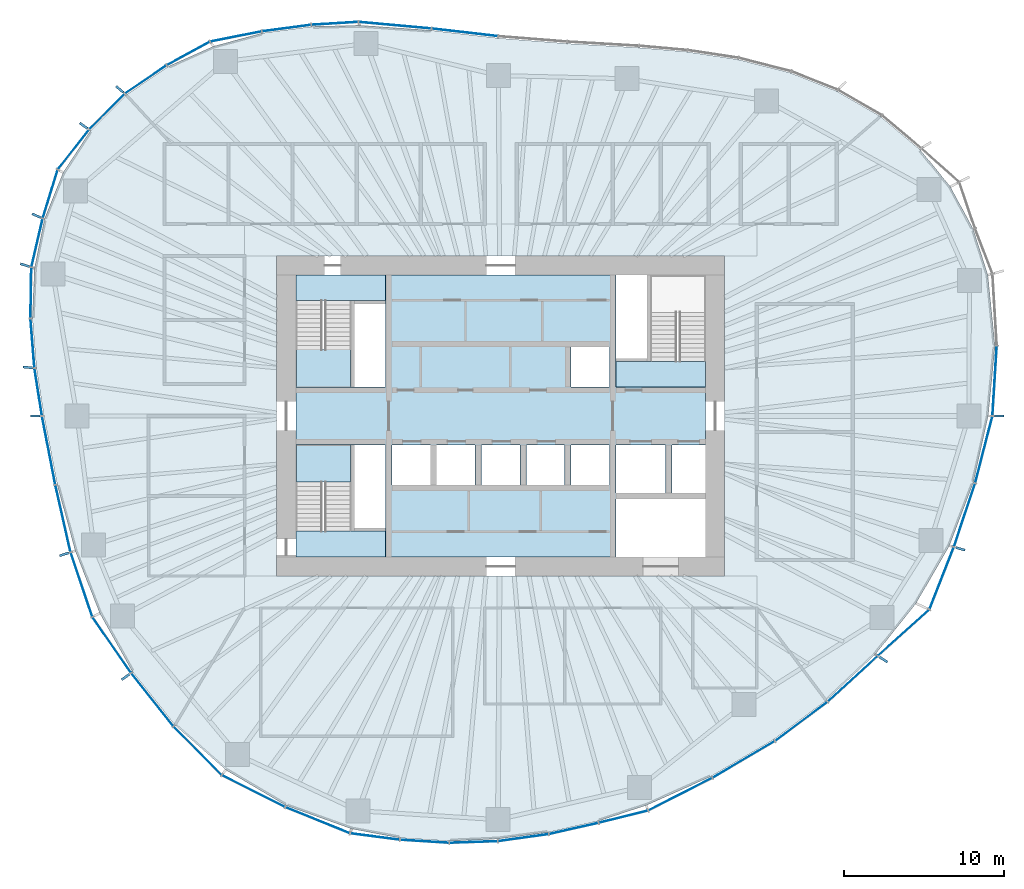
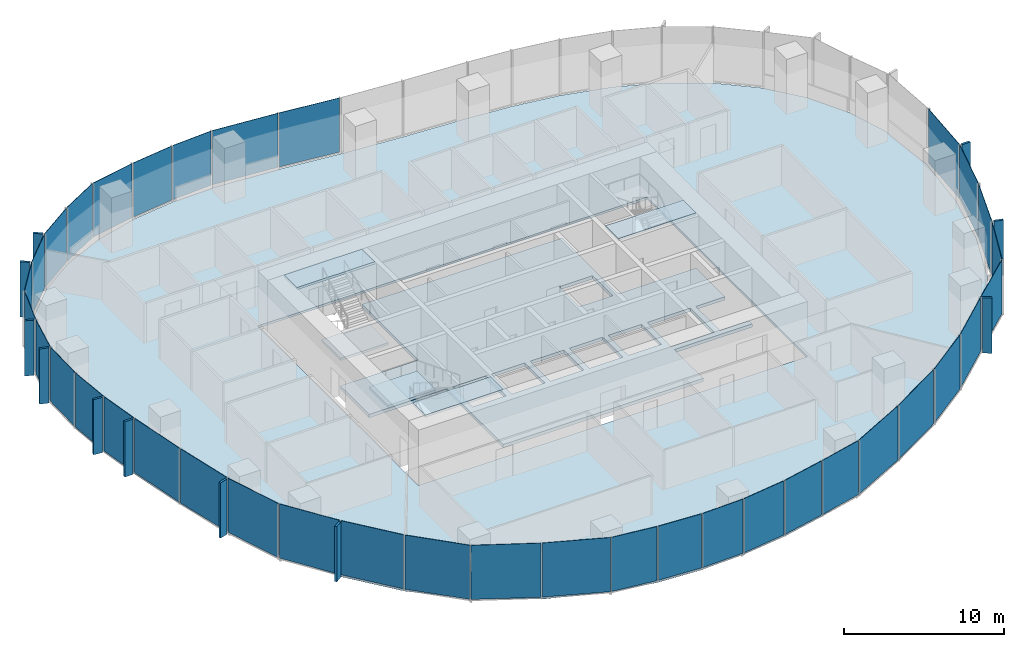
# One storey, part 7 of 18: 48 plates, 7 slabs, 19 elements without a shape of their own.
"""IFC4 building model written with IfcOpenShell, lengths in metres."""

import ifcopenshell
import ifcopenshell.guid

model = None  # the IFC model being written
_history = None  # IfcOwnerHistory: only IFC2X3 demands one
_inside = {}  # id of a spatial element -> (the spatial element, [elements in it])
_under = {}  # id of a project, library or spatial element -> (it, [spatial elements below it])
_declared = {}  # id of a project -> (the project, [libraries it declares])
_typed = {}  # id of a type object -> (the type object, [elements of that type])
_made_of = {}  # id of a material, layer set ... -> (it, [elements and type objects made of it])


def new_model(schema):
    """Start an empty IFC model of exactly this schema.

    Asked for "IFC4X3", IfcOpenShell would pick the latest addendum, in which some entities
    have other attributes; the version numbers below select the first issue.
    IFC2X3 requires an IfcOwnerHistory on every rooted entity: one is made here for all.
    """
    global model, _history
    if schema == "IFC4X3":
        model = ifcopenshell.file(schema_version=(4, 3, 0, 0))
    else:
        model = ifcopenshell.file(schema=schema)
    _inside.clear()
    _under.clear()
    _declared.clear()
    _typed.clear()
    _made_of.clear()
    _history = None
    if model.schema == "IFC2X3":
        org = make("IfcOrganization", Name="unknown")
        user = make(
            "IfcPersonAndOrganization",
            ThePerson=make("IfcPerson", FamilyName="unknown"),
            TheOrganization=org,
        )
        app = make(
            "IfcApplication",
            ApplicationDeveloper=org,
            Version="unknown",
            ApplicationFullName="unknown",
            ApplicationIdentifier="unknown",
        )
        _history = make(
            "IfcOwnerHistory",
            OwningUser=user,
            OwningApplication=app,
            ChangeAction="ADDED",
            CreationDate=0,
        )
    return model


def make(cls, **values):
    """One entity of the class cls with the attributes given. An attribute that is None is left unset."""
    return model.create_entity(
        cls, **{name: value for name, value in values.items() if value is not None}
    )


def rooted(cls, **values):
    """An entity with a GlobalId (a new one), such as an element, a storey or a relation."""
    return make(cls, GlobalId=ifcopenshell.guid.new(), OwnerHistory=_history, **values)


def si_unit(unit_type, name, prefix=None):
    """IfcSIUnit, for example si_unit("LENGTHUNIT", "METRE", prefix="MILLI")."""
    return make("IfcSIUnit", UnitType=unit_type, Prefix=prefix, Name=name)


def assignment(units):
    """IfcUnitAssignment: the units of a project."""
    return None if units is None else make("IfcUnitAssignment", Units=units)


def point(xyz):
    """IfcCartesianPoint."""
    return None if xyz is None else make("IfcCartesianPoint", Coordinates=xyz)


def direction(xyz):
    """IfcDirection."""
    return None if xyz is None else make("IfcDirection", DirectionRatios=xyz)


def frame(location, z_axis=None, x_axis=None):
    """IfcAxis2Placement3D, a coordinate frame: its origin and axes. An axis left out is left unset."""
    return make(
        "IfcAxis2Placement3D",
        Location=point(location),
        Axis=direction(z_axis),
        RefDirection=direction(x_axis),
    )


def frame_2d(location, x_axis=None):
    """IfcAxis2Placement2D, a coordinate frame in the plane: its origin and x axis."""
    return make(
        "IfcAxis2Placement2D", Location=point(location), RefDirection=direction(x_axis)
    )


def origin():
    """The frame at (0, 0, 0) with its axes left unset."""
    return frame((0.0, 0.0, 0.0))


def origin_2d():
    """The frame at (0, 0) in the plane with its x axis left unset."""
    return frame_2d((0.0, 0.0))


def place(relative_to, where):
    """IfcLocalPlacement: puts the frame where relative to a parent placement (None: the world)."""
    return make(
        "IfcLocalPlacement", PlacementRelTo=relative_to, RelativePlacement=where
    )


def context(
    kind, dimensions, precision=None, world=None, true_north=None, identifier=None
):
    """IfcGeometricRepresentationContext, for example the 3D "Model" context."""
    return make(
        "IfcGeometricRepresentationContext",
        ContextIdentifier=identifier,
        ContextType=kind,
        CoordinateSpaceDimension=dimensions,
        Precision=precision,
        WorldCoordinateSystem=world,
        TrueNorth=true_north,
    )


def subcontext(parent, identifier, kind, view, scale=None):
    """IfcGeometricRepresentationSubContext, for example "Body" below "Model"."""
    return make(
        "IfcGeometricRepresentationSubContext",
        ContextIdentifier=identifier,
        ContextType=kind,
        ParentContext=parent,
        TargetScale=scale,
        TargetView=view,
    )


def project(units=None, contexts=None):
    """IfcProject with its units and contexts."""
    return rooted(
        "IfcProject",
        Name="project",
        RepresentationContexts=contexts,
        UnitsInContext=assignment(units),
    )


def spatial(cls, under=None, at=None, **own):
    """A site, building, storey or space (cls), placed at a placement, below another one or the project."""
    s = rooted(cls, ObjectPlacement=at, **own)
    if under is not None:
        _under.setdefault(under.id(), (under, []))[1].append(s)
    return s


def polyline(points):
    """IfcPolyline through the points."""
    return make("IfcPolyline", Points=[point(p) for p in points])


def profile(cls, at=None, kind="AREA", **sizes):
    """A parametric profile (cls). Its sizes go by their IFC names, for example OverallWidth=200.0."""
    return make(cls, ProfileType=kind, Position=at, **sizes)


def rectangle(**sizes):
    """IfcRectangleProfileDef."""
    return profile("IfcRectangleProfileDef", **sizes)


def outline(outer, holes=None, kind="AREA"):
    """IfcArbitraryClosedProfileDef: a profile drawn as a closed curve; with holes, ...WithVoids."""
    if holes is None:
        return make("IfcArbitraryClosedProfileDef", ProfileType=kind, OuterCurve=outer)
    return make(
        "IfcArbitraryProfileDefWithVoids",
        ProfileType=kind,
        OuterCurve=outer,
        InnerCurves=holes,
    )


def extrude(swept, where, along, depth):
    """IfcExtrudedAreaSolid: the profile swept, set in the frame where, extruded along a direction by depth."""
    return make(
        "IfcExtrudedAreaSolid",
        SweptArea=swept,
        Position=where,
        ExtrudedDirection=direction(along),
        Depth=depth,
    )


def shape(context_of_items, identifier, shape_type, items):
    """IfcShapeRepresentation: the items that make up one representation, for example the "Body"."""
    return make(
        "IfcShapeRepresentation",
        ContextOfItems=context_of_items,
        RepresentationIdentifier=identifier,
        RepresentationType=shape_type,
        Items=items,
    )


def material(Name=None, Category=None):
    """IfcMaterial."""
    return make("IfcMaterial", Name=Name, Category=Category)


def layer(
    of_material, thickness, ventilated=None, Name=None, Category=None, Priority=None
):
    """IfcMaterialLayer: one layer of a wall or slab, of a material (None: an air gap)."""
    return make(
        "IfcMaterialLayer",
        Material=of_material,
        LayerThickness=thickness,
        IsVentilated=ventilated,
        Name=Name,
        Category=Category,
        Priority=Priority,
    )


def layer_set(layers, Name=None):
    """IfcMaterialLayerSet."""
    return make("IfcMaterialLayerSet", MaterialLayers=layers, LayerSetName=Name)


def made_of(thing, what):
    """Note that an element or type object is made of a material, layer set ...; save() writes the relation."""
    if what is not None:
        _made_of.setdefault(what.id(), (what, []))[1].append(thing)
    return thing


def type_object(cls, material=None, **own):
    """A type object (cls), such as IfcWallType, which elements share."""
    return made_of(rooted(cls, **own), material)


def element(
    cls,
    number,
    at=None,
    inside=None,
    cuts=None,
    type_object=None,
    material=None,
    context=None,
    identifier="Body",
    shape_type=None,
    held_by="IfcProductDefinitionShape",
    body=None,
    shapes=None,
    **own,
):
    """One element of the class cls, such as IfcWall. Its Tag is "e" and its number.

    at: its placement. inside: the storey or other place that contains it. cuts: it is an
    opening in that element (IfcRelVoidsElement). A single representation is given by context,
    identifier, shape_type and body (its items); several are given by shapes. held_by: the class
    of the entity that holds the representations. save() writes the other relations.
    """
    e = rooted(cls, Tag="e%d" % number, ObjectPlacement=at, **own)
    if body is not None:
        shapes = [shape(context, identifier, shape_type, body)]
    if shapes is not None:
        e.Representation = make(held_by, Representations=shapes)
    if inside is not None:
        _inside.setdefault(inside.id(), (inside, []))[1].append(e)
    if cuts is not None:
        rooted(
            "IfcRelVoidsElement", RelatingBuildingElement=cuts, RelatedOpeningElement=e
        )
    if type_object is not None:
        _typed.setdefault(type_object.id(), (type_object, []))[1].append(e)
    return made_of(e, material)


def aggregate(whole, parts):
    """IfcRelAggregates: a whole, such as a stair, and the parts it consists of."""
    return rooted("IfcRelAggregates", RelatingObject=whole, RelatedObjects=parts)


def save(model, path):
    """Write the relations noted so far, then the file.

    IfcRelAggregates (storeys below a building ...), IfcRelContainedInSpatialStructure (elements
    in a storey), IfcRelDefinesByType, IfcRelAssociatesMaterial and IfcRelDeclares: one each for
    every whole, place, type object, material and project.
    """
    for whole, parts in _under.values():
        aggregate(whole, parts)
    for where, things in _inside.values():
        rooted(
            "IfcRelContainedInSpatialStructure",
            RelatedElements=things,
            RelatingStructure=where,
        )
    for kind, things in _typed.values():
        rooted("IfcRelDefinesByType", RelatedObjects=things, RelatingType=kind)
    for what, things in _made_of.values():
        rooted("IfcRelAssociatesMaterial", RelatedObjects=things, RelatingMaterial=what)
    for by, libraries in _declared.values():
        rooted("IfcRelDeclares", RelatingContext=by, RelatedDefinitions=libraries)
    model.write(path)


model = new_model("IFC4")

# Units and contexts
model_context = context("Model", 3, precision=1e-05, world=origin(), true_north=direction((0.0, 1.0)))
body_context = subcontext(model_context, "Body", "Model", "MODEL_VIEW")
ifc_project = project(units=[si_unit("LENGTHUNIT", "METRE"), si_unit("AREAUNIT", "SQUARE_METRE"), si_unit("VOLUMEUNIT", "CUBIC_METRE"), si_unit("PLANEANGLEUNIT", "RADIAN"), si_unit("MASSUNIT", "GRAM", prefix="KILO")], contexts=[model_context])

# Site, building, storey
site_placement = place(None, origin())
site = spatial("IfcSite", under=ifc_project, at=site_placement, CompositionType="ELEMENT")
building_placement = place(site_placement, origin())
building = spatial("IfcBuilding", under=site, at=building_placement, Name="Ghaith Harvest Tower", CompositionType="ELEMENT")
storey_placement = place(building_placement, frame((0.0, 0.0, 138.60009765625)))
storey = spatial("IfcBuildingStorey", under=building, at=storey_placement, Name="L29", CompositionType="ELEMENT", Elevation=138.60009765625)

# Curtain wall, plate
ifc_material_1 = material(Name="Black anodised aluminium and fritted glass", Category="aluminium")
curtain_wall_type = type_object("IfcCurtainWallType", Name="CW-L CURTAIN WALL", PredefinedType="NOTDEFINED", material=ifc_material_1)
curtain_wall_1_placement = place(storey_placement, origin())
curtain_wall_1 = element("IfcCurtainWall", 1, at=curtain_wall_1_placement, inside=storey, type_object=curtain_wall_type, Name="Curtain wall CW-L bay 01 L29", PredefinedType="NOTDEFINED")
ifc_material_2 = material(Name="Glass, dark solar-control fritted double glazed unit", Category="glass")
ifc_layer_1 = layer(ifc_material_2, 0.031982421875)
ifc_layer_set_1 = layer_set([ifc_layer_1], Name="CW-L VISION PANEL")
plate_type_1 = type_object("IfcPlateType", Name="CW-L VISION PANEL", PredefinedType="CURTAIN_PANEL", material=ifc_layer_set_1)
plate_1_placement = place(storey_placement, frame((30.86376953125, 2.19482421875, 0.079833984375), z_axis=(0.0, 0.0, 1.0), x_axis=(0.061379619468, 0.99811449359, 0.0)))
plate_1 = element("IfcPlate", 2, at=plate_1_placement, type_object=plate_type_1, Name="CW-L glass unit 1 bay 01 L29", PredefinedType="CURTAIN_PANEL", context=body_context, shape_type="SweptSolid", body=[
    extrude(rectangle(XDim=4.318115234375, YDim=0.031982421875, at=origin_2d()), origin(), (0.0, 0.0, 1.0), 4.1201171875),
])
aggregate(curtain_wall_1, [plate_1])

# Curtain wall, plates
curtain_wall_2_placement = place(storey_placement, origin())
curtain_wall_2 = element("IfcCurtainWall", 3, at=curtain_wall_2_placement, inside=storey, type_object=curtain_wall_type, Name="Curtain wall CW-L bay 06 L29", PredefinedType="NOTDEFINED")
plate_2_placement = place(storey_placement, frame((-2.24267578125, 23.968505859375, 0.079833984375), z_axis=(0.0, 0.0, 1.0), x_axis=(-0.993477024646, 0.114032458099, 0.0)))
plate_2 = element("IfcPlate", 4, at=plate_2_placement, type_object=plate_type_1, Name="CW-L glass unit 1 bay 06 L29", PredefinedType="CURTAIN_PANEL", context=body_context, shape_type="SweptSolid", body=[
    extrude(rectangle(XDim=4.10791015625, YDim=0.031982421875, at=origin_2d()), origin(), (0.0, 0.0, 1.0), 4.1201171875),
])
plate_3_placement = place(storey_placement, frame((-6.607666015625, 24.4140625, 0.079833984375), z_axis=(0.0, 0.0, 1.0), x_axis=(-0.995928776302, 0.090143621701, 0.0)))
plate_3 = element("IfcPlate", 5, at=plate_3_placement, type_object=plate_type_1, Name="CW-L glass unit 2 bay 06 L29", PredefinedType="CURTAIN_PANEL", context=body_context, shape_type="SweptSolid", body=[
    extrude(rectangle(XDim=4.508056640625, YDim=0.031982421875, at=origin_2d()), origin(), (0.0, 0.0, 1.0), 4.1201171875),
])
aggregate(curtain_wall_2, [plate_2, plate_3])

curtain_wall_3_placement = place(storey_placement, origin())
curtain_wall_3 = element("IfcCurtainWall", 6, at=curtain_wall_3_placement, inside=storey, type_object=curtain_wall_type, Name="Curtain wall CW-L bay 07 L29", PredefinedType="NOTDEFINED")
plate_4_placement = place(storey_placement, frame((-10.36669921875, 24.5302734375, 0.079833984375), z_axis=(0.0, 0.0, 1.0), x_axis=(-0.998119199641, -0.061303044853, 0.0)))
plate_4 = element("IfcPlate", 7, at=plate_4_placement, type_object=plate_type_1, Name="CW-L glass unit 1 bay 07 L29", PredefinedType="CURTAIN_PANEL", context=body_context, shape_type="SweptSolid", body=[
    extrude(rectangle(XDim=2.874267578125, YDim=0.031982421875, at=origin_2d()), origin(), (0.0, 0.0, 1.0), 4.1201171875),
])
plate_5_placement = place(storey_placement, frame((-13.382568359375, 24.23486328125, 0.079833984375), z_axis=(0.0, 0.0, 1.0), x_axis=(-0.991285895369, -0.131728029071, 0.0)))
plate_5 = element("IfcPlate", 8, at=plate_5_placement, type_object=plate_type_1, Name="CW-L glass unit 2 bay 07 L29", PredefinedType="CURTAIN_PANEL", context=body_context, shape_type="SweptSolid", body=[
    extrude(rectangle(XDim=3.02978515625, YDim=0.031982421875, at=origin_2d()), origin(), (0.0, 0.0, 1.0), 4.1201171875),
])
plate_6_placement = place(storey_placement, frame((-16.54443359375, 23.7099609375, 0.079833984375), z_axis=(0.0, 0.0, 1.0), x_axis=(-0.981037550101, -0.193817763096, 0.0)))
plate_6 = element("IfcPlate", 9, at=plate_6_placement, type_object=plate_type_1, Name="CW-L glass unit 3 bay 07 L29", PredefinedType="CURTAIN_PANEL", context=body_context, shape_type="SweptSolid", body=[
    extrude(rectangle(XDim=3.22412109375, YDim=0.031982421875, at=origin_2d()), origin(), (0.0, 0.0, 1.0), 4.1201171875),
])
aggregate(curtain_wall_3, [plate_4, plate_5, plate_6])

curtain_wall_4_placement = place(storey_placement, origin())
curtain_wall_4 = element("IfcCurtainWall", 10, at=curtain_wall_4_placement, inside=storey, type_object=curtain_wall_type, Name="Curtain wall CW-L bay 08 L29", PredefinedType="NOTDEFINED")
plate_7_placement = place(storey_placement, frame((-19.520263671875, 22.650634765625, 0.079833984375), z_axis=(0.0, 0.0, 1.0), x_axis=(-0.877940384665, -0.478769966659, 0.0)))
plate_7 = element("IfcPlate", 11, at=plate_7_placement, type_object=plate_type_1, Name="CW-L glass unit 1 bay 08 L29", PredefinedType="CURTAIN_PANEL", context=body_context, shape_type="SweptSolid", body=[
    extrude(rectangle(XDim=3.007080078125, YDim=0.031982421875, at=origin_2d()), origin(), (0.0, 0.0, 1.0), 4.1201171875),
])
plate_8_placement = place(storey_placement, frame((-22.182373046875, 21.025390625, 0.079833984375), z_axis=(0.0, 0.0, 1.0), x_axis=(-0.827674847773, -0.561207935051, 0.0)))
plate_8 = element("IfcPlate", 12, at=plate_8_placement, type_object=plate_type_1, Name="CW-L glass unit 2 bay 08 L29", PredefinedType="CURTAIN_PANEL", context=body_context, shape_type="SweptSolid", body=[
    extrude(rectangle(XDim=3.078369140625, YDim=0.031982421875, at=origin_2d()), origin(), (0.0, 0.0, 1.0), 4.1201171875),
])
plate_9_placement = place(storey_placement, frame((-24.603759765625, 19.01708984375, 0.079833984375), z_axis=(0.0, 0.0, 1.0), x_axis=(-0.704613943896, -0.709590861037, 0.0)))
plate_9 = element("IfcPlate", 13, at=plate_9_placement, type_object=plate_type_1, Name="CW-L glass unit 3 bay 08 L29", PredefinedType="CURTAIN_PANEL", context=body_context, shape_type="SweptSolid", body=[
    extrude(rectangle(XDim=3.0830078125, YDim=0.031982421875, at=origin_2d()), origin(), (0.0, 0.0, 1.0), 4.1201171875),
])
aggregate(curtain_wall_4, [plate_7, plate_8, plate_9])

curtain_wall_5_placement = place(storey_placement, origin())
curtain_wall_5 = element("IfcCurtainWall", 14, at=curtain_wall_5_placement, inside=storey, type_object=curtain_wall_type, Name="Curtain wall CW-L bay 09 L29", PredefinedType="NOTDEFINED")
plate_10_placement = place(storey_placement, frame((-26.69873046875, 16.644775390625, 0.079833984375), z_axis=(0.0, 0.0, 1.0), x_axis=(-0.617140806324, -0.786852734106, 0.0)))
plate_10 = element("IfcPlate", 15, at=plate_10_placement, type_object=plate_type_1, Name="CW-L glass unit 1 bay 09 L29", PredefinedType="CURTAIN_PANEL", context=body_context, shape_type="SweptSolid", body=[
    extrude(rectangle(XDim=3.09765625, YDim=0.031982421875, at=origin_2d()), origin(), (0.0, 0.0, 1.0), 4.1201171875),
])
plate_11_placement = place(storey_placement, frame((-28.14794921875, 13.869140625, 0.079833984375), z_axis=(0.0, 0.0, 1.0), x_axis=(-0.293802674087, -0.955866093498, 0.0)))
plate_11 = element("IfcPlate", 16, at=plate_11_placement, type_object=plate_type_1, Name="CW-L glass unit 2 bay 09 L29", PredefinedType="CURTAIN_PANEL", context=body_context, shape_type="SweptSolid", body=[
    extrude(rectangle(XDim=3.111328125, YDim=0.031982421875, at=origin_2d()), origin(), (0.0, 0.0, 1.0), 4.1201171875),
])
plate_12_placement = place(storey_placement, frame((-28.9716796875, 10.819091796875, 0.079833984375), z_axis=(0.0, 0.0, 1.0), x_axis=(-0.226698962458, -0.973964876379, 0.0)))
plate_12 = element("IfcPlate", 17, at=plate_12_placement, type_object=plate_type_1, Name="CW-L glass unit 3 bay 09 L29", PredefinedType="CURTAIN_PANEL", context=body_context, shape_type="SweptSolid", body=[
    extrude(rectangle(XDim=3.05126953125, YDim=0.031982421875, at=origin_2d()), origin(), (0.0, 0.0, 1.0), 4.1201171875),
])
aggregate(curtain_wall_5, [plate_10, plate_11, plate_12])

curtain_wall_6_placement = place(storey_placement, origin())
curtain_wall_6 = element("IfcCurtainWall", 18, at=curtain_wall_6_placement, inside=storey, type_object=curtain_wall_type, Name="Curtain wall CW-L bay 10 L29", PredefinedType="NOTDEFINED")
plate_13_placement = place(storey_placement, frame((-29.352294921875, 7.695068359375, 0.079833984375), z_axis=(0.0, 0.0, 1.0), x_axis=(-0.016034106433, -0.999871445452, 0.0)))
plate_13 = element("IfcPlate", 19, at=plate_13_placement, type_object=plate_type_1, Name="CW-L glass unit 1 bay 10 L29", PredefinedType="CURTAIN_PANEL", context=body_context, shape_type="SweptSolid", body=[
    extrude(rectangle(XDim=3.118408203125, YDim=0.031982421875, at=origin_2d()), origin(), (0.0, 0.0, 1.0), 4.1201171875),
])
plate_14_placement = place(storey_placement, frame((-29.25439453125, 4.54345703125, 0.079833984375), z_axis=(0.0, 0.0, 1.0), x_axis=(0.079273335663, -0.996852917061, 0.0)))
plate_14 = element("IfcPlate", 20, at=plate_14_placement, type_object=plate_type_1, Name="CW-L glass unit 2 bay 10 L29", PredefinedType="CURTAIN_PANEL", context=body_context, shape_type="SweptSolid", body=[
    extrude(rectangle(XDim=3.035400390625, YDim=0.031982421875, at=origin_2d()), origin(), (0.0, 0.0, 1.0), 4.1201171875),
])
plate_15_placement = place(storey_placement, frame((-28.896240234375, 1.495361328125, 0.079833984375), z_axis=(0.0, 0.0, 1.0), x_axis=(0.155172175389, -0.987887440949, 0.0)))
plate_15 = element("IfcPlate", 21, at=plate_15_placement, type_object=plate_type_1, Name="CW-L glass unit 3 bay 10 L29", PredefinedType="CURTAIN_PANEL", context=body_context, shape_type="SweptSolid", body=[
    extrude(rectangle(XDim=2.947265625, YDim=0.031982421875, at=origin_2d()), origin(), (0.0, 0.0, 1.0), 4.1201171875),
])
aggregate(curtain_wall_6, [plate_13, plate_14, plate_15])

curtain_wall_7_placement = place(storey_placement, origin())
curtain_wall_7 = element("IfcCurtainWall", 22, at=curtain_wall_7_placement, inside=storey, type_object=curtain_wall_type, Name="Curtain wall CW-L bay 11 L29", PredefinedType="NOTDEFINED")
plate_16_placement = place(storey_placement, frame((-28.24462890625, -2.152099609375, 0.079833984375), z_axis=(0.0, 0.0, 1.0), x_axis=(0.190044913274, -0.981775397399, 0.0)))
plate_16 = element("IfcPlate", 23, at=plate_16_placement, type_object=plate_type_1, Name="CW-L glass unit 1 bay 11 L29", PredefinedType="CURTAIN_PANEL", context=body_context, shape_type="SweptSolid", body=[
    extrude(rectangle(XDim=4.303955078125, YDim=0.031982421875, at=origin_2d()), origin(), (0.0, 0.0, 1.0), 4.1201171875),
])
plate_17_placement = place(storey_placement, frame((-27.351806640625, -6.41064453125, 0.079833984375), z_axis=(0.0, 0.0, 1.0), x_axis=(0.220483469245, -0.975390711351, 0.0)))
plate_17 = element("IfcPlate", 24, at=plate_17_placement, type_object=plate_type_1, Name="CW-L glass unit 2 bay 11 L29", PredefinedType="CURTAIN_PANEL", context=body_context, shape_type="SweptSolid", body=[
    extrude(rectangle(XDim=4.239501953125, YDim=0.031982421875, at=origin_2d()), origin(), (0.0, 0.0, 1.0), 4.1201171875),
])
aggregate(curtain_wall_7, [plate_16, plate_17])

curtain_wall_8_placement = place(storey_placement, origin())
curtain_wall_8 = element("IfcCurtainWall", 25, at=curtain_wall_8_placement, inside=storey, type_object=curtain_wall_type, Name="Curtain wall CW-L bay 12 L29", PredefinedType="NOTDEFINED")
plate_18_placement = place(storey_placement, frame((-26.194580078125, -10.537841796875, 0.079833984375), z_axis=(0.0, 0.0, 1.0), x_axis=(0.319477383729, -0.947593901039, 0.0)))
plate_18 = element("IfcPlate", 26, at=plate_18_placement, type_object=plate_type_1, Name="CW-L glass unit 1 bay 12 L29", PredefinedType="CURTAIN_PANEL", context=body_context, shape_type="SweptSolid", body=[
    extrude(rectangle(XDim=4.184326171875, YDim=0.031982421875, at=origin_2d()), origin(), (0.0, 0.0, 1.0), 4.1201171875),
])
plate_19_placement = place(storey_placement, frame((-24.3017578125, -14.312255859375, 0.079833984375), z_axis=(0.0, 0.0, 1.0), x_axis=(0.568347699633, -0.822788485774, 0.0)))
plate_19 = element("IfcPlate", 27, at=plate_19_placement, type_object=plate_type_1, Name="CW-L glass unit 2 bay 12 L29", PredefinedType="CURTAIN_PANEL", context=body_context, shape_type="SweptSolid", body=[
    extrude(rectangle(XDim=4.18359375, YDim=0.031982421875, at=origin_2d()), origin(), (0.0, 0.0, 1.0), 4.1201171875),
])
aggregate(curtain_wall_8, [plate_18, plate_19])

curtain_wall_9_placement = place(storey_placement, origin())
curtain_wall_9 = element("IfcCurtainWall", 28, at=curtain_wall_9_placement, inside=storey, type_object=curtain_wall_type, Name="Curtain wall CW-L bay 13 L29", PredefinedType="NOTDEFINED")
plate_20_placement = place(storey_placement, frame((-21.765625, -17.7314453125, 0.079833984375), z_axis=(0.0, 0.0, 1.0), x_axis=(0.622507360482, -0.782613944513, 0.0)))
plate_20 = element("IfcPlate", 29, at=plate_20_placement, type_object=plate_type_1, Name="CW-L glass unit 1 bay 13 L29", PredefinedType="CURTAIN_PANEL", context=body_context, shape_type="SweptSolid", body=[
    extrude(rectangle(XDim=4.175537109375, YDim=0.031982421875, at=origin_2d()), origin(), (0.0, 0.0, 1.0), 4.1201171875),
])
plate_21_placement = place(storey_placement, frame((-18.935791015625, -20.920166015625, 0.079833984375), z_axis=(0.0, 0.0, 1.0), x_axis=(0.702843151286, -0.711344856375, 0.0)))
plate_21 = element("IfcPlate", 30, at=plate_21_placement, type_object=plate_type_1, Name="CW-L glass unit 2 bay 13 L29", PredefinedType="CURTAIN_PANEL", context=body_context, shape_type="SweptSolid", body=[
    extrude(rectangle(XDim=4.203369140625, YDim=0.031982421875, at=origin_2d()), origin(), (0.0, 0.0, 1.0), 4.1201171875),
])
aggregate(curtain_wall_9, [plate_20, plate_21])

curtain_wall_10_placement = place(storey_placement, origin())
curtain_wall_10 = element("IfcCurtainWall", 31, at=curtain_wall_10_placement, inside=storey, type_object=curtain_wall_type, Name="Curtain wall CW-L bay 14 L29", PredefinedType="NOTDEFINED")
plate_22_placement = place(storey_placement, frame((-15.44677734375, -23.443115234375, 0.079833984375), z_axis=(0.0, 0.0, 1.0), x_axis=(0.893062297869, -0.449933030712, 0.0)))
plate_22 = element("IfcPlate", 32, at=plate_22_placement, type_object=plate_type_1, Name="CW-L glass unit 1 bay 14 L29", PredefinedType="CURTAIN_PANEL", context=body_context, shape_type="SweptSolid", body=[
    extrude(rectangle(XDim=4.362548828125, YDim=0.031982421875, at=origin_2d()), origin(), (0.0, 0.0, 1.0), 4.1201171875),
])
plate_23_placement = place(storey_placement, frame((-11.441162109375, -25.260498046875, 0.079833984375), z_axis=(0.0, 0.0, 1.0), x_axis=(0.927002522537, -0.375055093567, 0.0)))
plate_23 = element("IfcPlate", 33, at=plate_23_placement, type_object=plate_type_1, Name="CW-L glass unit 2 bay 14 L29", PredefinedType="CURTAIN_PANEL", context=body_context, shape_type="SweptSolid", body=[
    extrude(rectangle(XDim=4.282470703125, YDim=0.031982421875, at=origin_2d()), origin(), (0.0, 0.0, 1.0), 4.1201171875),
])
aggregate(curtain_wall_10, [plate_22, plate_23])

curtain_wall_11_placement = place(storey_placement, origin())
curtain_wall_11 = element("IfcCurtainWall", 34, at=curtain_wall_11_placement, inside=storey, type_object=curtain_wall_type, Name="Curtain wall CW-L bay 15 L29", PredefinedType="NOTDEFINED")
plate_24_placement = place(storey_placement, frame((-7.856689453125, -26.281005859375, 0.079833984375), z_axis=(0.0, 0.0, 1.0), x_axis=(0.99172348392, -0.128392100386, 0.0)))
plate_24 = element("IfcPlate", 35, at=plate_24_placement, type_object=plate_type_1, Name="CW-L glass unit 1 bay 15 L29", PredefinedType="CURTAIN_PANEL", context=body_context, shape_type="SweptSolid", body=[
    extrude(rectangle(XDim=3.07080078125, YDim=0.031982421875, at=origin_2d()), origin(), (0.0, 0.0, 1.0), 4.1201171875),
])
plate_25_placement = place(storey_placement, frame((-4.7568359375, -26.57958984375, 0.079833984375), z_axis=(0.0, 0.0, 1.0), x_axis=(0.998038280843, -0.062606628824, 0.0)))
plate_25 = element("IfcPlate", 36, at=plate_25_placement, type_object=plate_type_1, Name="CW-L glass unit 2 bay 15 L29", PredefinedType="CURTAIN_PANEL", context=body_context, shape_type="SweptSolid", body=[
    extrude(rectangle(XDim=3.001220703125, YDim=0.031982421875, at=origin_2d()), origin(), (0.0, 0.0, 1.0), 4.1201171875),
])
plate_26_placement = place(storey_placement, frame((-1.700439453125, -26.624755859375, 0.079833984375), z_axis=(0.0, 0.0, 1.0), x_axis=(0.999431515426, 0.033714180603, 0.0)))
plate_26 = element("IfcPlate", 37, at=plate_26_placement, type_object=plate_type_1, Name="CW-L glass unit 3 bay 15 L29", PredefinedType="CURTAIN_PANEL", context=body_context, shape_type="SweptSolid", body=[
    extrude(rectangle(XDim=2.958984375, YDim=0.031982421875, at=origin_2d()), origin(), (0.0, 0.0, 1.0), 4.1201171875),
])
aggregate(curtain_wall_11, [plate_24, plate_25, plate_26])

curtain_wall_12_placement = place(storey_placement, origin())
curtain_wall_12 = element("IfcCurtainWall", 38, at=curtain_wall_12_placement, inside=storey, type_object=curtain_wall_type, Name="Curtain wall CW-L bay 16 L29", PredefinedType="NOTDEFINED")
plate_27_placement = place(storey_placement, frame((1.4140625, -26.3515625, 0.079833984375), z_axis=(0.0, 0.0, 1.0), x_axis=(0.990448098003, 0.137886058621, 0.0)))
plate_27 = element("IfcPlate", 39, at=plate_27_placement, type_object=plate_type_1, Name="CW-L glass unit 1 bay 16 L29", PredefinedType="CURTAIN_PANEL", context=body_context, shape_type="SweptSolid", body=[
    extrude(rectangle(XDim=3.142578125, YDim=0.031982421875, at=origin_2d()), origin(), (0.0, 0.0, 1.0), 4.1201171875),
])
plate_28_placement = place(storey_placement, frame((4.565185546875, -25.77734375, 0.079833984375), z_axis=(0.0, 0.0, 1.0), x_axis=(0.975341754172, 0.220699937852, 0.0)))
plate_28 = element("IfcPlate", 40, at=plate_28_placement, type_object=plate_type_1, Name="CW-L glass unit 2 bay 16 L29", PredefinedType="CURTAIN_PANEL", context=body_context, shape_type="SweptSolid", body=[
    extrude(rectangle(XDim=3.10888671875, YDim=0.031982421875, at=origin_2d()), origin(), (0.0, 0.0, 1.0), 4.1201171875),
])
plate_29_placement = place(storey_placement, frame((7.66845703125, -25.0400390625, 0.079833984375), z_axis=(0.0, 0.0, 1.0), x_axis=(0.970384283801, 0.241566433413, 0.0)))
plate_29 = element("IfcPlate", 41, at=plate_29_placement, type_object=plate_type_1, Name="CW-L glass unit 3 bay 16 L29", PredefinedType="CURTAIN_PANEL", context=body_context, shape_type="SweptSolid", body=[
    extrude(rectangle(XDim=3.111083984375, YDim=0.031982421875, at=origin_2d()), origin(), (0.0, 0.0, 1.0), 4.1201171875),
])
aggregate(curtain_wall_12, [plate_27, plate_28, plate_29])

curtain_wall_13_placement = place(storey_placement, origin())
curtain_wall_13 = element("IfcCurtainWall", 42, at=curtain_wall_13_placement, inside=storey, type_object=curtain_wall_type, Name="Curtain wall CW-L bay 17 L29", PredefinedType="NOTDEFINED")
plate_30_placement = place(storey_placement, frame((11.220703125, -23.63427734375, 0.079833984375), z_axis=(0.0, 0.0, 1.0), x_axis=(0.891126766056, 0.453754434489, 0.0)))
plate_30 = element("IfcPlate", 43, at=plate_30_placement, type_object=plate_type_1, Name="CW-L glass unit 1 bay 17 L29", PredefinedType="CURTAIN_PANEL", context=body_context, shape_type="SweptSolid", body=[
    extrude(rectangle(XDim=4.417236328125, YDim=0.031982421875, at=origin_2d()), origin(), (0.0, 0.0, 1.0), 4.1201171875),
])
plate_31_placement = place(storey_placement, frame((15.17822265625, -21.46484375, 0.079833984375), z_axis=(0.0, 0.0, 1.0), x_axis=(0.861979497965, 0.506943137924, 0.0)))
plate_31 = element("IfcPlate", 44, at=plate_31_placement, type_object=plate_type_1, Name="CW-L glass unit 2 bay 17 L29", PredefinedType="CURTAIN_PANEL", context=body_context, shape_type="SweptSolid", body=[
    extrude(rectangle(XDim=4.453125, YDim=0.031982421875, at=origin_2d()), origin(), (0.0, 0.0, 1.0), 4.1201171875),
])
aggregate(curtain_wall_13, [plate_30, plate_31])

curtain_wall_14_placement = place(storey_placement, origin())
curtain_wall_14 = element("IfcCurtainWall", 45, at=curtain_wall_14_placement, inside=storey, type_object=curtain_wall_type, Name="Curtain wall CW-L bay 18 L29", PredefinedType="NOTDEFINED")
plate_32_placement = place(storey_placement, frame((18.78076171875, -19.08984375, 0.079833984375), z_axis=(0.0, 0.0, 1.0), x_axis=(0.802462370117, 0.596702727115, 0.0)))
plate_32 = element("IfcPlate", 46, at=plate_32_placement, type_object=plate_type_1, Name="CW-L glass unit 1 bay 18 L29", PredefinedType="CURTAIN_PANEL", context=body_context, shape_type="SweptSolid", body=[
    extrude(rectangle(XDim=4.029541015625, YDim=0.031982421875, at=origin_2d()), origin(), (0.0, 0.0, 1.0), 4.1201171875),
])
plate_33_placement = place(storey_placement, frame((21.9951171875, -16.428955078125, 0.079833984375), z_axis=(0.0, 0.0, 1.0), x_axis=(0.737201663563, 0.675672781189, 0.0)))
plate_33 = element("IfcPlate", 47, at=plate_33_placement, type_object=plate_type_1, Name="CW-L glass unit 2 bay 18 L29", PredefinedType="CURTAIN_PANEL", context=body_context, shape_type="SweptSolid", body=[
    extrude(rectangle(XDim=4.1669921875, YDim=0.031982421875, at=origin_2d()), origin(), (0.0, 0.0, 1.0), 4.1201171875),
])
aggregate(curtain_wall_14, [plate_32, plate_33])

curtain_wall_15_placement = place(storey_placement, origin())
curtain_wall_15 = element("IfcCurtainWall", 48, at=curtain_wall_15_placement, inside=storey, type_object=curtain_wall_type, Name="Curtain wall CW-L bay 19 L29", PredefinedType="NOTDEFINED")
plate_34_placement = place(storey_placement, frame((25.17333984375, -13.54345703125, 0.079833984375), z_axis=(0.0, 0.0, 1.0), x_axis=(0.743493028761, 0.668743684968, 0.0)))
plate_34 = element("IfcPlate", 49, at=plate_34_placement, type_object=plate_type_1, Name="CW-L glass unit 1 bay 19 L29", PredefinedType="CURTAIN_PANEL", context=body_context, shape_type="SweptSolid", body=[
    extrude(rectangle(XDim=4.2587890625, YDim=0.031982421875, at=origin_2d()), origin(), (0.0, 0.0, 1.0), 4.1201171875),
])
plate_35_placement = place(storey_placement, frame((27.552978515625, -10.138916015625, 0.079833984375), z_axis=(0.0, 0.0, 1.0), x_axis=(0.365226458984, 0.930918704108, 0.0)))
plate_35 = element("IfcPlate", 50, at=plate_35_placement, type_object=plate_type_1, Name="CW-L glass unit 2 bay 19 L29", PredefinedType="CURTAIN_PANEL", context=body_context, shape_type="SweptSolid", body=[
    extrude(rectangle(XDim=4.11767578125, YDim=0.031982421875, at=origin_2d()), origin(), (0.0, 0.0, 1.0), 4.1201171875),
])
aggregate(curtain_wall_15, [plate_34, plate_35])

curtain_wall_16_placement = place(storey_placement, origin())
curtain_wall_16 = element("IfcCurtainWall", 51, at=curtain_wall_16_placement, inside=storey, type_object=curtain_wall_type, Name="Curtain wall CW-L bay 20 L29", PredefinedType="NOTDEFINED")
plate_36_placement = place(storey_placement, frame((28.982666015625, -6.191650390625, 0.079833984375), z_axis=(0.0, 0.0, 1.0), x_axis=(0.315708038084, 0.948856382541, 0.0)))
plate_36 = element("IfcPlate", 52, at=plate_36_placement, type_object=plate_type_1, Name="CW-L glass unit 1 bay 20 L29", PredefinedType="CURTAIN_PANEL", context=body_context, shape_type="SweptSolid", body=[
    extrude(rectangle(XDim=4.12158203125, YDim=0.031982421875, at=origin_2d()), origin(), (0.0, 0.0, 1.0), 4.1201171875),
])
plate_37_placement = place(storey_placement, frame((30.187255859375, -2.09912109375, 0.079833984375), z_axis=(0.0, 0.0, 1.0), x_axis=(0.24974411022, 0.968311870944, 0.0)))
plate_37 = element("IfcPlate", 53, at=plate_37_placement, type_object=plate_type_1, Name="CW-L glass unit 2 bay 20 L29", PredefinedType="CURTAIN_PANEL", context=body_context, shape_type="SweptSolid", body=[
    extrude(rectangle(XDim=4.255615234375, YDim=0.031982421875, at=origin_2d()), origin(), (0.0, 0.0, 1.0), 4.1201171875),
])
aggregate(curtain_wall_16, [plate_36, plate_37])

# Slabs
ifc_material_3 = material(Name="Concrete C40/50", Category="concrete")
ifc_layer_2 = layer(ifc_material_3, 0.169921875)
ifc_layer_set_2 = layer_set([ifc_layer_2], Name="FLOOR SLAB 170")
slab_type_1 = type_object("IfcSlabType", Name="FLOOR SLAB 170", PredefinedType="FLOOR", material=ifc_layer_set_2)
slab_1_placement = place(storey_placement, frame((0.0, 0.0, -0.170166015625)))
element("IfcSlab", 54, at=slab_1_placement, inside=storey, type_object=slab_type_1, Name="Floor slab L29", PredefinedType="FLOOR", context=body_context, shape_type="SweptSolid", body=[
    extrude(outline(polyline([(30.458740234375, 0.0), (30.8798828125, 4.373046875), (30.439208984375, 8.797607421875), (29.52294921875, 11.671875), (28.0888671875, 14.32568359375), (26.179443359375, 16.660888671875), (23.7275390625, 18.718017578125), (20.97998046875, 20.3056640625), (18.0849609375, 21.4462890625), (14.79833984375, 22.27978515625), (11.617919921875, 22.757080078125), (8.604736328125, 23.017333984375), (4.125732421875, 23.272705078125), (-0.16162109375, 23.609619140625), (-4.302001953125, 24.089111328125), (-8.814208984375, 24.404541015625), (-11.788818359375, 24.331787109375), (-14.860595703125, 23.927978515625), (-17.938232421875, 23.097412109375), (-20.79248046875, 21.82470703125), (-23.398193359375, 20.06103515625), (-25.61962890625, 17.826416015625), (-27.33837890625, 15.204833984375), (-28.506591796875, 12.29638671875), (-29.12646484375, 9.230712890625), (-29.260498046875, 6.07177734375), (-29.01171875, 2.978271484375), (-28.541259765625, 0.0), (-27.70947265625, -4.285888671875), (-26.580078125, -8.423583984375), (-25.046875, -12.32861328125), (-22.99169921875, -15.997802734375), (-20.35400390625, -19.31396484375), (-17.1728515625, -22.11181640625), (-13.4052734375, -24.33740234375), (-9.317138671875, -25.79638671875), (-6.2666015625, -26.366455078125), (-3.204833984375, -26.556884765625), (-0.180908203125, -26.423583984375), (2.99609375, -26.010009765625), (6.09228515625, -25.308837890625), (9.09423828125, -24.326904296875), (13.163818359375, -22.510498046875), (17.054443359375, -20.22412109375), (20.33935546875, -17.784912109375), (23.400390625, -14.89208984375), (25.94775390625, -11.714111328125), (28.03125, -8.1015625), (29.527099609375, -4.181396484375), (30.458740234375, 0.0)]), holes=[polyline([(-14.0, -10.0), (14.0, -10.0), (14.0, 10.0), (-14.0, 10.0), (-14.0, -10.0)])]), origin(), (0.0, 0.0, 1.0), 0.170166015625),
])
ifc_material_4 = material(Name="Concrete C40/50", Category="concrete")
ifc_layer_3 = layer(ifc_material_4, 0.25)
ifc_layer_set_3 = layer_set([ifc_layer_3], Name="FLOOR SLAB 250")
slab_type_2 = type_object("IfcSlabType", Name="FLOOR SLAB 250", PredefinedType="FLOOR", material=ifc_layer_set_3)
slab_2_placement = place(storey_placement, frame((0.0, 0.0, -0.25)))
element("IfcSlab", 55, at=slab_2_placement, inside=storey, type_object=slab_type_2, Name="Core slab L29", PredefinedType="FLOOR", context=body_context, shape_type="SweptSolid", body=[
    extrude(outline(polyline([(-12.800048828125, 1.800048828125), (-7.199951171875, 1.800048828125), (-7.199951171875, 8.800048828125), (7.199951171875, 8.800048828125), (7.199951171875, 1.800048828125), (12.800048828125, 1.800048828125), (12.800048828125, -1.800048828125), (10.699951171875, -1.800048828125), (10.699951171875, -4.800048828125), (12.800048828125, -4.800048828125), (12.800048828125, -5.199951171875), (7.199951171875, -5.199951171875), (7.199951171875, -8.800048828125), (-7.199951171875, -8.800048828125), (-7.199951171875, -1.800048828125), (-12.800048828125, -1.800048828125), (-12.800048828125, 1.800048828125)]), holes=[polyline([(-4.39990234375, -4.300048828125), (-4.39990234375, -1.800048828125), (-6.800048828125, -1.800048828125), (-6.800048828125, -4.300048828125), (-4.39990234375, -4.300048828125)]), polyline([(-1.60009765625, -4.300048828125), (-1.60009765625, -1.800048828125), (-4.0, -1.800048828125), (-4.0, -4.300048828125), (-1.60009765625, -4.300048828125)]), polyline([(1.199951171875, -1.800048828125), (-1.199951171875, -1.800048828125), (-1.199951171875, -4.300048828125), (1.199951171875, -4.300048828125), (1.199951171875, -1.800048828125)]), polyline([(4.0, -4.300048828125), (4.0, -1.800048828125), (1.60009765625, -1.800048828125), (1.60009765625, -4.300048828125), (4.0, -4.300048828125)]), polyline([(10.300048828125, -4.800048828125), (10.300048828125, -1.800048828125), (7.199951171875, -1.800048828125), (7.199951171875, -4.800048828125), (10.300048828125, -4.800048828125)]), polyline([(6.800048828125, -1.800048828125), (4.39990234375, -1.800048828125), (4.39990234375, -4.300048828125), (6.800048828125, -4.300048828125), (6.800048828125, -1.800048828125)]), polyline([(6.800048828125, 1.800048828125), (6.800048828125, 4.300048828125), (4.39990234375, 4.300048828125), (4.39990234375, 1.800048828125), (6.800048828125, 1.800048828125)])]), origin(), (0.0, 0.0, 1.0), 0.25),
])

# Stair, slabs
ifc_material_5 = material(Name="Concrete C40/50, precast", Category="concrete")
stair_type = type_object("IfcStairType", Name="CORE STAIR 24R", PredefinedType="HALF_TURN_STAIR", material=ifc_material_5)
stair_1_placement = place(storey_placement, origin())
stair_1 = element("IfcStair", 56, at=stair_1_placement, inside=storey, type_object=stair_type, Name="Stair ST1 L29", PredefinedType="HALF_TURN_STAIR")
ifc_material_6 = material(Name="Concrete C40/50, precast", Category="concrete")
ifc_layer_4 = layer(ifc_material_6, 0.179931640625)
ifc_layer_set_4 = layer_set([ifc_layer_4], Name="STAIR LANDING 180")
slab_type_3 = type_object("IfcSlabType", Name="STAIR LANDING 180", PredefinedType="LANDING", material=ifc_layer_set_4)
slab_3_placement = place(storey_placement, frame((0.0, 0.0, 1.919921875)))
slab_3 = element("IfcSlab", 57, at=slab_3_placement, type_object=slab_type_3, Name="ST1 landing 1", PredefinedType="LANDING", context=body_context, shape_type="SweptSolid", body=[
    extrude(outline(polyline([(-12.800048828125, 4.139892578125), (-12.800048828125, 1.77490234375), (-9.35009765625, 1.77490234375), (-9.35009765625, 4.139892578125), (-12.800048828125, 4.139892578125)])), origin(), (0.0, 0.0, 1.0), 0.179931640625),
])
slab_4_placement = place(storey_placement, frame((0.0, 0.0, 4.02001953125)))
slab_4 = element("IfcSlab", 58, at=slab_4_placement, type_object=slab_type_3, Name="ST1 landing 2", PredefinedType="LANDING", context=body_context, shape_type="SweptSolid", body=[
    extrude(outline(polyline([(-12.800048828125, 8.800048828125), (-12.800048828125, 7.199951171875), (-7.199951171875, 7.199951171875), (-7.199951171875, 8.800048828125), (-12.800048828125, 8.800048828125)])), origin(), (0.0, 0.0, 1.0), 0.179931640625),
])
aggregate(stair_1, [slab_3, slab_4])

stair_2_placement = place(storey_placement, origin())
stair_2 = element("IfcStair", 59, at=stair_2_placement, inside=storey, type_object=stair_type, Name="Stair ST3 L29", PredefinedType="HALF_TURN_STAIR")
slab_5_placement = place(storey_placement, frame((0.0, 0.0, 1.919921875)))
slab_5 = element("IfcSlab", 60, at=slab_5_placement, type_object=slab_type_3, Name="ST3 landing 1", PredefinedType="LANDING", context=body_context, shape_type="SweptSolid", body=[
    extrude(outline(polyline([(-12.800048828125, -4.139892578125), (-12.800048828125, -1.77490234375), (-9.35009765625, -1.77490234375), (-9.35009765625, -4.139892578125), (-12.800048828125, -4.139892578125)])), origin(), (0.0, 0.0, 1.0), 0.179931640625),
])
slab_6_placement = place(storey_placement, frame((0.0, 0.0, 4.02001953125)))
slab_6 = element("IfcSlab", 61, at=slab_6_placement, type_object=slab_type_3, Name="ST3 landing 2", PredefinedType="LANDING", context=body_context, shape_type="SweptSolid", body=[
    extrude(outline(polyline([(-12.800048828125, -8.800048828125), (-12.800048828125, -7.199951171875), (-7.199951171875, -7.199951171875), (-7.199951171875, -8.800048828125), (-12.800048828125, -8.800048828125)])), origin(), (0.0, 0.0, 1.0), 0.179931640625),
])
aggregate(stair_2, [slab_5, slab_6])

# Stair, slab
stair_3_placement = place(storey_placement, origin())
stair_3 = element("IfcStair", 62, at=stair_3_placement, inside=storey, type_object=stair_type, Name="Stair ST2 L29", PredefinedType="HALF_TURN_STAIR")
slab_7_placement = place(storey_placement, frame((0.0, 0.0, 4.02001953125)))
slab_7 = element("IfcSlab", 63, at=slab_7_placement, type_object=slab_type_3, Name="ST2 landing 2", PredefinedType="LANDING", context=body_context, shape_type="SweptSolid", body=[
    extrude(outline(polyline([(12.800048828125, 1.800048828125), (12.800048828125, 3.39990234375), (7.199951171875, 3.39990234375), (7.199951171875, 1.800048828125), (12.800048828125, 1.800048828125)])), origin(), (0.0, 0.0, 1.0), 0.179931640625),
])
aggregate(stair_3, [slab_7])

# Plates
ifc_material_7 = material(Name="Glassfibre-reinforced concrete", Category="concrete")
ifc_layer_5 = layer(ifc_material_7, 0.14990234375)
ifc_layer_set_5 = layer_set([ifc_layer_5], Name="SUN-BREAKER FIN 600x150")
plate_type_2 = type_object("IfcPlateType", Name="SUN-BREAKER FIN 600x150", PredefinedType="USERDEFINED", material=ifc_layer_set_5)
for number, where, z_axis, x_axis, name in (
    (64, (31.148681640625, 0.0, 0.0), (0.0, 0.0, 1.0), (1.0, 0.0, 0.0), "Sun-breaker fin CW-L 1 bay 01 L29"),
    (65, (-23.808349609375, 20.41259765625, 0.0), (0.0, 0.0, 1.0), (-0.759169742643, 0.650892696115, 0.0), "Sun-breaker fin CW-L 3 bay 08 L29"),
    (66, (-26.06298828125, 18.134765625, 0.0), (0.0, 0.0, 1.0), (-0.820845486523, 0.571150319316, 0.0), "Sun-breaker fin CW-L 1 bay 09 L29"),
    (67, (-29.00244140625, 12.51025390625, 0.0), (0.0, 0.0, 1.0), (-0.918217993215, 0.396075392995, 0.0), "Sun-breaker fin CW-L 3 bay 09 L29"),
    (68, (-29.72705078125, 9.4208984375, 0.0), (0.0, 0.0, 1.0), (-0.953273219358, 0.302109531884, 0.0), "Sun-breaker fin CW-L 1 bay 10 L29"),
    (69, (-29.548828125, 3.033447265625, 0.0), (0.0, 0.0, 1.0), (-0.994771752973, 0.102123256344, 0.0), "Sun-breaker fin CW-L 3 bay 10 L29"),
    (70, (-29.081298828125, 0.0, 0.0), (0.0, 0.0, 1.0), (-1.0, -4.19e-10, 0.0), "Sun-breaker fin CW-L 1 bay 11 L29"),
    (71, (-27.276123046875, -8.644287109375, 0.0), (0.0, 0.0, 1.0), (-0.953273219416, -0.302109531701, 0.0), "Sun-breaker fin CW-L 1 bay 12 L29"),
    (72, (-23.434814453125, -16.30615234375, 0.0), (0.0, 0.0, 1.0), (-0.820845486622, -0.571150319173, 0.0), "Sun-breaker fin CW-L 1 bay 13 L29"),
    (73, (23.914794921875, -15.2197265625, 0.0), (0.0, 0.0, 1.0), (0.84364397137, -0.536903016913, 0.0), "Sun-breaker fin CW-L 1 bay 19 L29"),
    (74, (28.722900390625, -8.301513671875, 0.0), (0.0, 0.0, 1.0), (0.960680349932, -0.277656739976, 0.0), "Sun-breaker fin CW-L 1 bay 20 L29"),
):
    element("IfcPlate", number, at=place(storey_placement, frame(where, z_axis=z_axis, x_axis=x_axis)), inside=storey, type_object=plate_type_2, Name=name, ObjectType="SUN-BREAKER FIN", PredefinedType="USERDEFINED", context=body_context, shape_type="SweptSolid", body=[
        extrude(rectangle(XDim=0.60009765625, YDim=0.14990234375, at=origin_2d()), origin(), (0.0, 0.0, 1.0), 4.199951171875),
    ])

save(model, "model.ifc")
